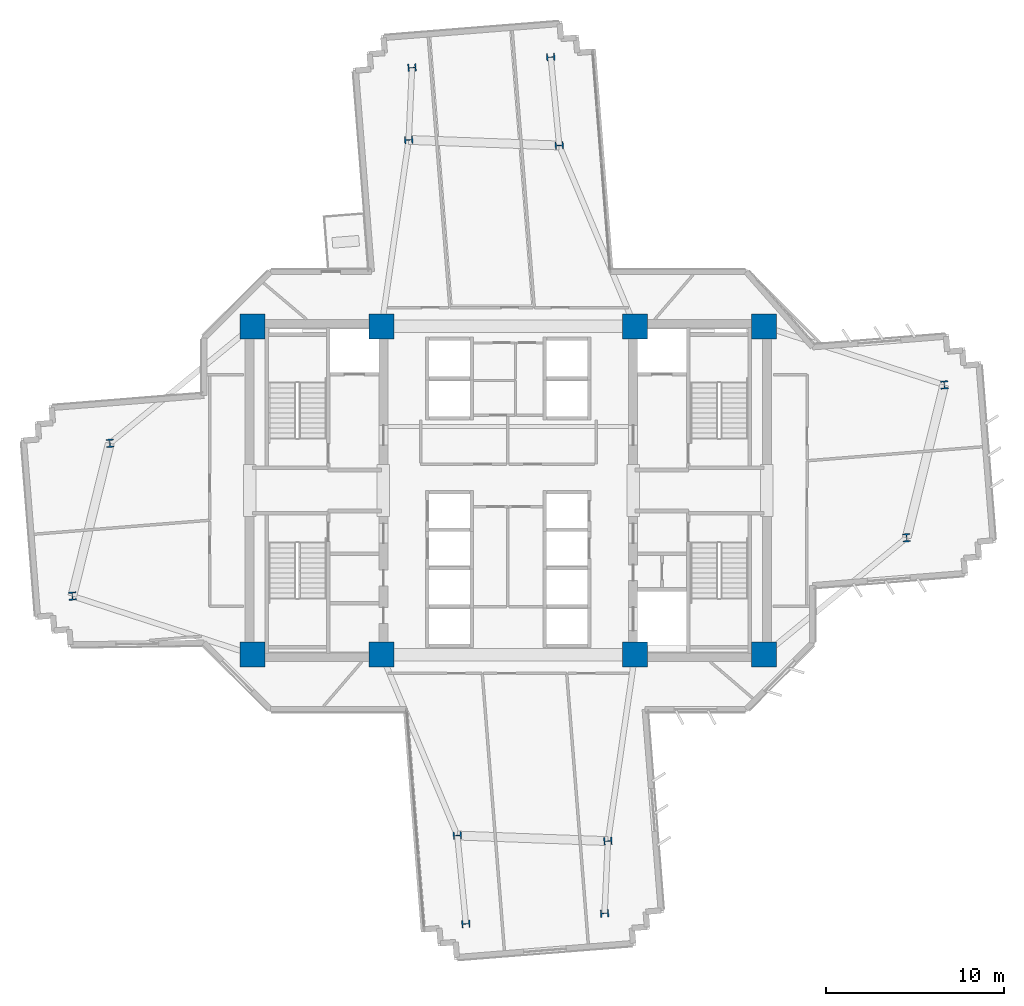
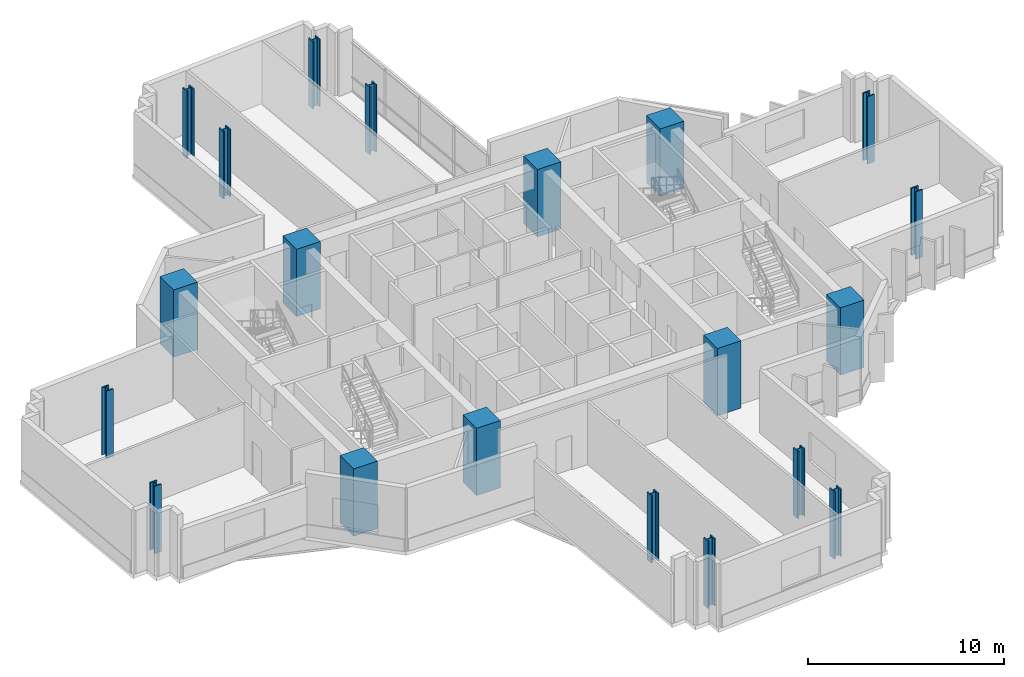
# One storey, part 1 of 15: 20 columns.
"""IFC4 building model written with IfcOpenShell, lengths in metres."""

from ifc_helpers import new_model, si_unit, direction, frame, origin, origin_2d, place, context, subcontext, project, spatial, rectangle, i_section, extrude, source, transform, mapped, material, material_profile, profile_set, type_object, element, save


model = new_model("IFC4")

# Units and contexts
model_context = context("Model", 3, precision=1e-05, world=origin(), true_north=direction((0.0, 1.0)))
body_context = subcontext(model_context, "Body", "Model", "MODEL_VIEW")
ifc_project = project(units=[si_unit("LENGTHUNIT", "METRE"), si_unit("AREAUNIT", "SQUARE_METRE"), si_unit("VOLUMEUNIT", "CUBIC_METRE"), si_unit("PLANEANGLEUNIT", "RADIAN"), si_unit("MASSUNIT", "GRAM", prefix="KILO")], contexts=[model_context])

# Site, building, storey
site_placement = place(None, origin())
site = spatial("IfcSite", under=ifc_project, at=site_placement, CompositionType="ELEMENT")
building_placement = place(site_placement, origin())
building = spatial("IfcBuilding", under=site, at=building_placement, Name="Zahravan Cultural Tower", CompositionType="ELEMENT")
storey_placement = place(building_placement, frame((0.0, 0.0, 87.89990234375)))
storey = spatial("IfcBuildingStorey", under=building, at=storey_placement, Name="L19", CompositionType="ELEMENT", Elevation=87.89990234375)

# Columns
ifc_material_1 = material(Name="Concrete C60/75", Category="concrete")
ifc_material_profile_1 = material_profile(ifc_material_1, rectangle(XDim=1.39990234375, YDim=1.39990234375, at=origin_2d()), Name="RC1400X1400")
ifc_profile_set_1 = profile_set([ifc_material_profile_1], Name="Concrete C60/75")
column_type_1 = type_object("IfcColumnType", Name="COL-RC1400", PredefinedType="COLUMN", material=ifc_profile_set_1)
shared_shape_1 = source(origin(), body_context, "Body", "SweptSolid", [
    extrude(rectangle(XDim=1.39990234375, YDim=1.39990234375, at=origin_2d()), origin(), (0.0, 0.0, 1.0), 4.2001953125),
])
for number, where, z_axis, x_axis, name in (
    (1, (21.64990234375, 17.800048828125, 0.0), (0.0, 0.0, 1.0), (1.0, 0.0, 0.0), "L19 Column CC-W1"),
    (2, (28.89990234375, 17.800048828125, 0.0), (0.0, 0.0, 1.0), (1.0, 0.0, 0.0), "L19 Column CC-W2"),
    (3, (21.64990234375, 36.199951171875, 0.0), (0.0, 0.0, 1.0), (1.0, 0.0, 0.0), "L19 Column CC-W3"),
    (4, (28.89990234375, 36.199951171875, 0.0), (0.0, 0.0, 1.0), (1.0, 0.0, 0.0), "L19 Column CC-W4"),
    (5, (43.10009765625, 17.800048828125, 0.0), (0.0, 0.0, 1.0), (1.0, 0.0, 0.0), "L19 Column CC-E1"),
    (6, (50.35009765625, 17.800048828125, 0.0), (0.0, 0.0, 1.0), (1.0, 0.0, 0.0), "L19 Column CC-E2"),
    (7, (43.10009765625, 36.199951171875, 0.0), (0.0, 0.0, 1.0), (1.0, 0.0, 0.0), "L19 Column CC-E3"),
    (8, (50.35009765625, 36.199951171875, 0.0), (0.0, 0.0, 1.0), (1.0, 0.0, 0.0), "L19 Column CC-E4"),
):
    element("IfcColumn", number, at=place(storey_placement, frame(where, z_axis=z_axis, x_axis=x_axis)), inside=storey, type_object=column_type_1, Name=name, PredefinedType="COLUMN", context=body_context, shape_type="MappedRepresentation", body=[
        mapped(shared_shape_1, transform((0.0, 0.0, 0.0), x_axis=(1.0, 0.0, 0.0), y_axis=(0.0, 1.0, 0.0), z_axis=(0.0, 0.0, 1.0), scale=1.0)),
    ])
ifc_material_2 = material(Name="Steel ASTM A992 Grade 50", Category="steel")
ifc_material_profile_2 = material_profile(ifc_material_2, i_section(OverallWidth=0.4208984375, OverallDepth=0.465087890625, WebThickness=0.044921875, FlangeThickness=0.072509765625, FilletRadius=0.01806640625, at=origin_2d()), Name="W14X398")
ifc_profile_set_2 = profile_set([ifc_material_profile_2], Name="Steel ASTM A992 Grade 50")
column_type_2 = type_object("IfcColumnType", Name="COL-W14X398", PredefinedType="COLUMN", material=ifc_profile_set_2)
shared_shape_2 = source(origin(), body_context, "Body", "SweptSolid", [
    extrude(i_section(OverallWidth=0.4208984375, OverallDepth=0.465087890625, WebThickness=0.044921875, FlangeThickness=0.072509765625, FilletRadius=0.01806640625, at=origin_2d()), origin(), (0.0, 0.0, 1.0), 4.2001953125),
])
for number, where, z_axis, x_axis, name in (
    (9, (58.339111328125, 24.351806640625, 0.0), (0.0, 0.0, 1.0), (0.99756405026, 0.069756473744, 0.0), "L19 Column Z1C-E1"),
    (10, (60.446533203125, 32.919677734375, 0.0), (0.0, 0.0, 1.0), (0.99756405026, 0.069756473744, 0.0), "L19 Column Z1C-E2"),
    (11, (38.857421875, 46.346435546875, 0.0), (0.0, 0.0, 1.0), (-0.069756473744, 0.99756405026, 0.0), "L19 Column Z1C-N1"),
    (12, (30.4150390625, 46.658203125, 0.0), (0.0, 0.0, 1.0), (-0.069756473744, 0.99756405026, 0.0), "L19 Column Z1C-N2"),
    (13, (13.660888671875, 29.648193359375, 0.0), (0.0, 0.0, 1.0), (0.99756405026, 0.069756473744, 0.0), "L19 Column Z1C-W1"),
    (14, (11.553466796875, 21.080322265625, 0.0), (0.0, 0.0, 1.0), (0.99756405026, 0.069756473744, 0.0), "L19 Column Z1C-W2"),
    (15, (33.142578125, 7.653564453125, 0.0), (0.0, 0.0, 1.0), (-0.069756473744, 0.99756405026, 0.0), "L19 Column Z1C-S1"),
    (16, (41.5849609375, 7.341796875, 0.0), (0.0, 0.0, 1.0), (-0.069756473744, 0.99756405026, 0.0), "L19 Column Z1C-S2"),
    (17, (38.379150390625, 51.29736328125, 0.0), (0.0, 0.0, 1.0), (-0.062790519529, 0.998026728428, 0.0), "L19 Column Z1T-N1"),
    (18, (30.6005859375, 50.707763671875, 0.0), (0.0, 0.0, 1.0), (-0.062790519529, 0.998026728428, 0.0), "L19 Column Z1T-N2"),
    (19, (33.620849609375, 2.70263671875, 0.0), (0.0, 0.0, 1.0), (-0.062790519529, 0.998026728428, 0.0), "L19 Column Z1T-S1"),
    (20, (41.3994140625, 3.292236328125, 0.0), (0.0, 0.0, 1.0), (-0.062790519529, 0.998026728428, 0.0), "L19 Column Z1T-S2"),
):
    element("IfcColumn", number, at=place(storey_placement, frame(where, z_axis=z_axis, x_axis=x_axis)), inside=storey, type_object=column_type_2, Name=name, PredefinedType="COLUMN", context=body_context, shape_type="MappedRepresentation", body=[
        mapped(shared_shape_2, transform((0.0, 0.0, 0.0), x_axis=(1.0, 0.0, 0.0), y_axis=(0.0, 1.0, 0.0), z_axis=(0.0, 0.0, 1.0), scale=1.0)),
    ])

save(model, "model.ifc")
